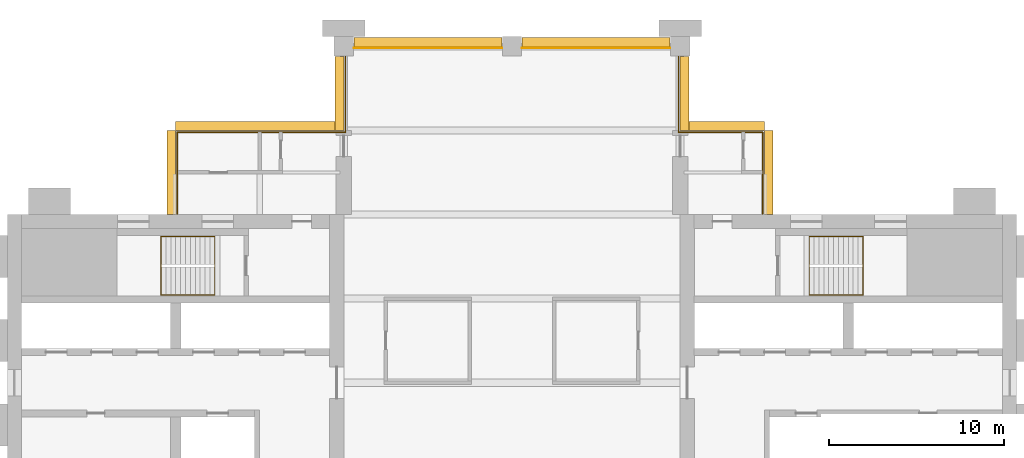
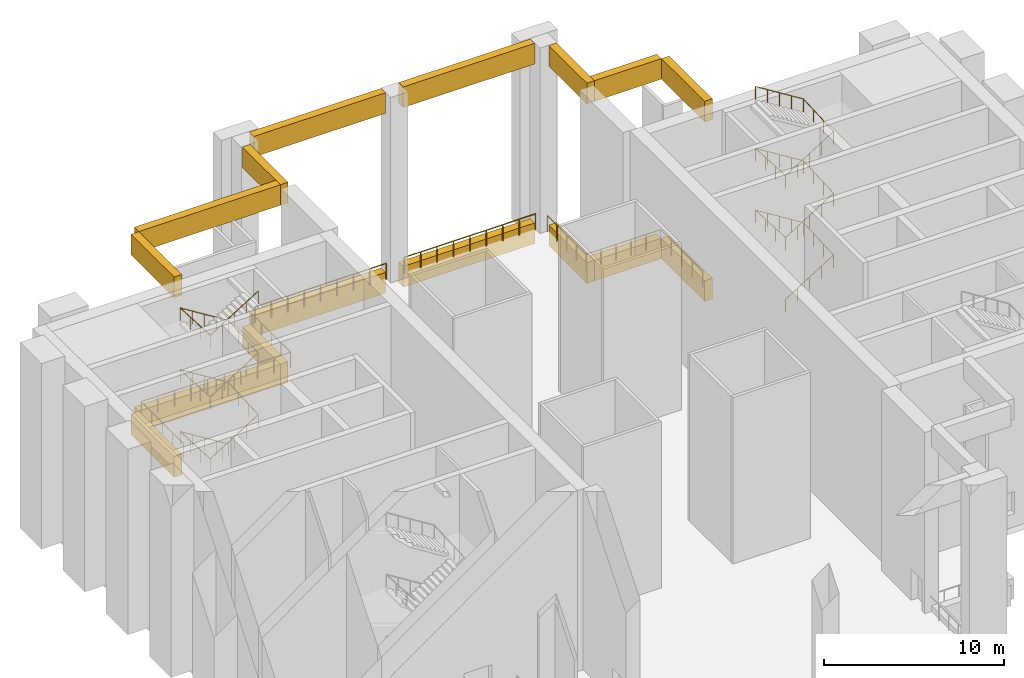
# One storey, part 8 of 8: 16 coverings, 6 railings.
"""IFC4 building model written with IfcOpenShell, lengths in metres."""

from ifc_helpers import new_model, si_unit, direction, frame, origin, origin_2d, place, context, subcontext, project, spatial, polyline, circle, outline, extrude, material, type_object, element, save


model = new_model("IFC4")

# Units and contexts
model_context = context("Model", 3, precision=1e-05, world=origin(), true_north=direction((0.0, 1.0)))
body_context = subcontext(model_context, "Body", "Model", "MODEL_VIEW")
ifc_project = project(units=[si_unit("LENGTHUNIT", "METRE"), si_unit("AREAUNIT", "SQUARE_METRE"), si_unit("VOLUMEUNIT", "CUBIC_METRE"), si_unit("PLANEANGLEUNIT", "RADIAN"), si_unit("MASSUNIT", "GRAM", prefix="KILO")], contexts=[model_context])

# Site, building, storey
site_placement = place(None, origin())
site = spatial("IfcSite", under=ifc_project, at=site_placement, CompositionType="ELEMENT")
building_placement = place(site_placement, origin())
building = spatial("IfcBuilding", under=site, at=building_placement, Name="Baori Bourse Tower", CompositionType="ELEMENT")
storey_placement = place(building_placement, frame((0.0, 0.0, 269.699951171875)))
storey = spatial("IfcBuildingStorey", under=building, at=storey_placement, Name="L60", CompositionType="ELEMENT", Elevation=269.699951171875)

# Railings
ifc_material_1 = material(Name="Powder-coated steel balustrade", Category="steel")
railing_type_1 = type_object("IfcRailingType", Name="Core stair handrail", PredefinedType="HANDRAIL", material=ifc_material_1)
railing_1_placement = place(storey_placement, frame((11.85009765625, 37.14990234375, 0.175048828125)))
element("IfcRailing", 1, at=railing_1_placement, inside=storey, type_object=railing_type_1, Name="L60 ST2 stair handrail 1", PredefinedType="HANDRAIL", context=body_context, shape_type="SweptSolid", body=[
    extrude(circle(Radius=0.02392578125, at=origin_2d()), frame((0.0, 0.0, 0.8759765625), z_axis=(-0.847998304005, 0.0, 0.529998940003), x_axis=(0.0, -1.0, 0.0)), (0.0, 0.0, 1.0), 3.632080078125),
    extrude(circle(Radius=0.02392578125, at=origin_2d()), frame((-3.080078125, 0.0, 2.80078125), z_axis=(0.0, -0.99863746249, 0.052184466191), x_axis=(1.0, 0.0, 0.0)), (0.0, 0.0, 1.0), 3.3544921875),
    extrude(circle(Radius=0.02392578125, at=origin_2d()), frame((-3.080078125, -3.349853515625, 2.97607421875), z_axis=(0.848028513186, 0.0, 0.529950602248), x_axis=(0.0, 1.0, 0.0)), (0.0, 0.0, 1.0), 3.632080078125),
    extrude(circle(Radius=0.02392578125, at=origin_2d()), frame((0.0, -3.349853515625, 4.90087890625), z_axis=(0.0, 0.99863746249, 0.052184466191), x_axis=(-1.0, 0.0, 0.0)), (0.0, 0.0, 1.0), 3.3544921875),
    extrude(circle(Radius=0.02392578125, at=origin_2d()), frame((0.0, 0.0, 5.07568359375), z_axis=(-0.847998304005, 0.0, 0.529998940003), x_axis=(0.0, -1.0, 0.0)), (0.0, 0.0, 1.0), 3.632080078125),
    extrude(circle(Radius=0.02392578125, at=origin_2d()), frame((-3.080078125, 0.0, 7.0009765625), z_axis=(0.0, -0.99863746249, 0.052184466191), x_axis=(1.0, 0.0, 0.0)), (0.0, 0.0, 1.0), 3.3544921875),
    extrude(circle(Radius=0.02392578125, at=origin_2d()), frame((-3.080078125, -3.349853515625, 7.17578125), z_axis=(0.847998304005, 0.0, 0.529998940003), x_axis=(0.0, 1.0, 0.0)), (0.0, 0.0, 1.0), 3.632080078125),
    extrude(circle(Radius=0.02392578125, at=origin_2d()), frame((0.0, -3.349853515625, 9.10107421875), z_axis=(0.0, 0.998641252765, 0.052111882296), x_axis=(-1.0, 0.0, 0.0)), (0.0, 0.0, 1.0), 3.3544921875),
    extrude(circle(Radius=0.02392578125, at=origin_2d()), frame((0.0, 0.0, 9.27587890625), z_axis=(-0.847998304005, 0.0, 0.529998940003), x_axis=(0.0, -1.0, 0.0)), (0.0, 0.0, 1.0), 3.632080078125),
    extrude(circle(Radius=0.02392578125, at=origin_2d()), frame((-3.080078125, 0.0, 11.20068359375), z_axis=(0.0, -0.99863746249, 0.052184466191), x_axis=(1.0, 0.0, 0.0)), (0.0, 0.0, 1.0), 3.3544921875),
    extrude(circle(Radius=0.02392578125, at=origin_2d()), frame((-3.080078125, -3.349853515625, 11.3759765625), z_axis=(0.847998304005, 0.0, 0.529998940003), x_axis=(0.0, 1.0, 0.0)), (0.0, 0.0, 1.0), 3.632080078125),
    extrude(circle(Radius=0.02099609375, at=origin_2d()), origin(), (0.0, 0.0, 1.0), 0.851806640625),
    extrude(circle(Radius=0.02099609375, at=origin_2d()), frame((-0.77001953125, 0.0, 0.481201171875)), (0.0, 0.0, 1.0), 0.851806640625),
    extrude(circle(Radius=0.02099609375, at=origin_2d()), frame((-1.5400390625, 0.0, 0.96240234375)), (0.0, 0.0, 1.0), 0.851806640625),
    extrude(circle(Radius=0.02099609375, at=origin_2d()), frame((-2.31005859375, 0.0, 1.44384765625)), (0.0, 0.0, 1.0), 0.851806640625),
    extrude(circle(Radius=0.02099609375, at=origin_2d()), frame((-3.080078125, 0.0, 1.925048828125)), (0.0, 0.0, 1.0), 0.851806640625),
    extrude(circle(Radius=0.02099609375, at=origin_2d()), frame((-3.080078125, -1.11669921875, 1.9833984375)), (0.0, 0.0, 1.0), 0.851806640625),
    extrude(circle(Radius=0.02099609375, at=origin_2d()), frame((-3.080078125, -2.233154296875, 2.041748046875)), (0.0, 0.0, 1.0), 0.851806640625),
    extrude(circle(Radius=0.02099609375, at=origin_2d()), frame((-3.080078125, -3.349853515625, 2.10009765625)), (0.0, 0.0, 1.0), 0.851806640625),
    extrude(circle(Radius=0.02099609375, at=origin_2d()), frame((-2.31005859375, -3.349853515625, 2.581298828125)), (0.0, 0.0, 1.0), 0.851806640625),
    extrude(circle(Radius=0.02099609375, at=origin_2d()), frame((-1.5400390625, -3.349853515625, 3.0625)), (0.0, 0.0, 1.0), 0.851806640625),
    extrude(circle(Radius=0.02099609375, at=origin_2d()), frame((-0.77001953125, -3.349853515625, 3.543701171875)), (0.0, 0.0, 1.0), 0.851806640625),
    extrude(circle(Radius=0.02099609375, at=origin_2d()), frame((0.0, -3.349853515625, 4.02490234375)), (0.0, 0.0, 1.0), 0.851806640625),
    extrude(circle(Radius=0.02099609375, at=origin_2d()), frame((0.0, -2.233154296875, 4.083251953125)), (0.0, 0.0, 1.0), 0.851806640625),
    extrude(circle(Radius=0.02099609375, at=origin_2d()), frame((0.0, -1.11669921875, 4.1416015625)), (0.0, 0.0, 1.0), 0.851806640625),
    extrude(circle(Radius=0.02099609375, at=origin_2d()), frame((0.0, 0.0, 4.199951171875)), (0.0, 0.0, 1.0), 0.851806640625),
    extrude(circle(Radius=0.02099609375, at=origin_2d()), frame((-0.77001953125, 0.0, 4.68115234375)), (0.0, 0.0, 1.0), 0.851806640625),
    extrude(circle(Radius=0.02099609375, at=origin_2d()), frame((-1.5400390625, 0.0, 5.16259765625)), (0.0, 0.0, 1.0), 0.851806640625),
    extrude(circle(Radius=0.02099609375, at=origin_2d()), frame((-2.31005859375, 0.0, 5.643798828125)), (0.0, 0.0, 1.0), 0.851806640625),
    extrude(circle(Radius=0.02099609375, at=origin_2d()), frame((-3.080078125, 0.0, 6.125)), (0.0, 0.0, 1.0), 0.851806640625),
    extrude(circle(Radius=0.02099609375, at=origin_2d()), frame((-3.080078125, -1.11669921875, 6.183349609375)), (0.0, 0.0, 1.0), 0.851806640625),
    extrude(circle(Radius=0.02099609375, at=origin_2d()), frame((-3.080078125, -2.233154296875, 6.24169921875)), (0.0, 0.0, 1.0), 0.851806640625),
    extrude(circle(Radius=0.02099609375, at=origin_2d()), frame((-3.080078125, -3.349853515625, 6.300048828125)), (0.0, 0.0, 1.0), 0.851806640625),
    extrude(circle(Radius=0.02099609375, at=origin_2d()), frame((-2.31005859375, -3.349853515625, 6.78125)), (0.0, 0.0, 1.0), 0.851806640625),
    extrude(circle(Radius=0.02099609375, at=origin_2d()), frame((-1.5400390625, -3.349853515625, 7.2626953125)), (0.0, 0.0, 1.0), 0.851806640625),
    extrude(circle(Radius=0.02099609375, at=origin_2d()), frame((-0.77001953125, -3.349853515625, 7.743896484375)), (0.0, 0.0, 1.0), 0.851806640625),
    extrude(circle(Radius=0.02099609375, at=origin_2d()), frame((0.0, -3.349853515625, 8.22509765625)), (0.0, 0.0, 1.0), 0.851806640625),
    extrude(circle(Radius=0.02099609375, at=origin_2d()), frame((0.0, -2.233154296875, 8.283447265625)), (0.0, 0.0, 1.0), 0.851806640625),
    extrude(circle(Radius=0.02099609375, at=origin_2d()), frame((0.0, -1.11669921875, 8.341552734375)), (0.0, 0.0, 1.0), 0.851806640625),
    extrude(circle(Radius=0.02099609375, at=origin_2d()), frame((0.0, 0.0, 8.39990234375)), (0.0, 0.0, 1.0), 0.851806640625),
    extrude(circle(Radius=0.02099609375, at=origin_2d()), frame((-0.77001953125, 0.0, 8.881103515625)), (0.0, 0.0, 1.0), 0.851806640625),
    extrude(circle(Radius=0.02099609375, at=origin_2d()), frame((-1.5400390625, 0.0, 9.3623046875)), (0.0, 0.0, 1.0), 0.851806640625),
    extrude(circle(Radius=0.02099609375, at=origin_2d()), frame((-2.31005859375, 0.0, 9.84375)), (0.0, 0.0, 1.0), 0.851806640625),
    extrude(circle(Radius=0.02099609375, at=origin_2d()), frame((-3.080078125, 0.0, 10.324951171875)), (0.0, 0.0, 1.0), 0.851806640625),
    extrude(circle(Radius=0.02099609375, at=origin_2d()), frame((-3.080078125, -1.11669921875, 10.38330078125)), (0.0, 0.0, 1.0), 0.851806640625),
    extrude(circle(Radius=0.02099609375, at=origin_2d()), frame((-3.080078125, -2.233154296875, 10.441650390625)), (0.0, 0.0, 1.0), 0.851806640625),
    extrude(circle(Radius=0.02099609375, at=origin_2d()), frame((-3.080078125, -3.349853515625, 10.5)), (0.0, 0.0, 1.0), 0.851806640625),
    extrude(circle(Radius=0.02099609375, at=origin_2d()), frame((-2.31005859375, -3.349853515625, 10.981201171875)), (0.0, 0.0, 1.0), 0.851806640625),
    extrude(circle(Radius=0.02099609375, at=origin_2d()), frame((-1.5400390625, -3.349853515625, 11.46240234375)), (0.0, 0.0, 1.0), 0.851806640625),
    extrude(circle(Radius=0.02099609375, at=origin_2d()), frame((-0.77001953125, -3.349853515625, 11.94384765625)), (0.0, 0.0, 1.0), 0.851806640625),
    extrude(circle(Radius=0.02099609375, at=origin_2d()), frame((0.0, -3.349853515625, 12.425048828125)), (0.0, 0.0, 1.0), 0.851806640625),
])
railing_2_placement = place(storey_placement, frame((45.75, 33.800048828125, 0.175048828125)))
element("IfcRailing", 2, at=railing_2_placement, inside=storey, type_object=railing_type_1, Name="L60 ST4 stair handrail 1", PredefinedType="HANDRAIL", context=body_context, shape_type="SweptSolid", body=[
    extrude(circle(Radius=0.02392578125, at=origin_2d()), frame((0.0, 0.0, 0.8759765625), z_axis=(0.847998304005, 0.0, 0.529998940003), x_axis=(0.0, 1.0, 0.0)), (0.0, 0.0, 1.0), 3.632080078125),
    extrude(circle(Radius=0.02392578125, at=origin_2d()), frame((3.080078125, 0.0, 2.80078125), z_axis=(0.0, 0.99863746249, 0.052184466191), x_axis=(-1.0, 0.0, 0.0)), (0.0, 0.0, 1.0), 3.3544921875),
    extrude(circle(Radius=0.02392578125, at=origin_2d()), frame((3.080078125, 3.349853515625, 2.97607421875), z_axis=(-0.848028513186, 0.0, 0.529950602248), x_axis=(0.0, -1.0, 0.0)), (0.0, 0.0, 1.0), 3.632080078125),
    extrude(circle(Radius=0.02392578125, at=origin_2d()), frame((0.0, 3.349853515625, 4.90087890625), z_axis=(0.0, -0.99863746249, 0.052184466191), x_axis=(1.0, 0.0, 0.0)), (0.0, 0.0, 1.0), 3.3544921875),
    extrude(circle(Radius=0.02392578125, at=origin_2d()), frame((0.0, 0.0, 5.07568359375), z_axis=(0.847998304005, 0.0, 0.529998940003), x_axis=(0.0, 1.0, 0.0)), (0.0, 0.0, 1.0), 3.632080078125),
    extrude(circle(Radius=0.02392578125, at=origin_2d()), frame((3.080078125, 0.0, 7.0009765625), z_axis=(0.0, 0.99863746249, 0.052184466191), x_axis=(-1.0, 0.0, 0.0)), (0.0, 0.0, 1.0), 3.3544921875),
    extrude(circle(Radius=0.02392578125, at=origin_2d()), frame((3.080078125, 3.349853515625, 7.17578125), z_axis=(-0.847998304005, 0.0, 0.529998940003), x_axis=(0.0, -1.0, 0.0)), (0.0, 0.0, 1.0), 3.632080078125),
    extrude(circle(Radius=0.02392578125, at=origin_2d()), frame((0.0, 3.349853515625, 9.10107421875), z_axis=(0.0, -0.998641252765, 0.052111882296), x_axis=(1.0, 0.0, 0.0)), (0.0, 0.0, 1.0), 3.3544921875),
    extrude(circle(Radius=0.02392578125, at=origin_2d()), frame((0.0, 0.0, 9.27587890625), z_axis=(0.847998304005, 0.0, 0.529998940003), x_axis=(0.0, 1.0, 0.0)), (0.0, 0.0, 1.0), 3.632080078125),
    extrude(circle(Radius=0.02392578125, at=origin_2d()), frame((3.080078125, 0.0, 11.20068359375), z_axis=(0.0, 0.99863746249, 0.052184466191), x_axis=(-1.0, 0.0, 0.0)), (0.0, 0.0, 1.0), 3.3544921875),
    extrude(circle(Radius=0.02392578125, at=origin_2d()), frame((3.080078125, 3.349853515625, 11.3759765625), z_axis=(-0.847998304005, 0.0, 0.529998940003), x_axis=(0.0, -1.0, 0.0)), (0.0, 0.0, 1.0), 3.632080078125),
    extrude(circle(Radius=0.02099609375, at=origin_2d()), origin(), (0.0, 0.0, 1.0), 0.851806640625),
    extrude(circle(Radius=0.02099609375, at=origin_2d()), frame((0.77001953125, 0.0, 0.481201171875)), (0.0, 0.0, 1.0), 0.851806640625),
    extrude(circle(Radius=0.02099609375, at=origin_2d()), frame((1.5400390625, 0.0, 0.96240234375)), (0.0, 0.0, 1.0), 0.851806640625),
    extrude(circle(Radius=0.02099609375, at=origin_2d()), frame((2.31005859375, 0.0, 1.44384765625)), (0.0, 0.0, 1.0), 0.851806640625),
    extrude(circle(Radius=0.02099609375, at=origin_2d()), frame((3.080078125, 0.0, 1.925048828125)), (0.0, 0.0, 1.0), 0.851806640625),
    extrude(circle(Radius=0.02099609375, at=origin_2d()), frame((3.080078125, 1.11669921875, 1.9833984375)), (0.0, 0.0, 1.0), 0.851806640625),
    extrude(circle(Radius=0.02099609375, at=origin_2d()), frame((3.080078125, 2.233154296875, 2.041748046875)), (0.0, 0.0, 1.0), 0.851806640625),
    extrude(circle(Radius=0.02099609375, at=origin_2d()), frame((3.080078125, 3.349853515625, 2.10009765625)), (0.0, 0.0, 1.0), 0.851806640625),
    extrude(circle(Radius=0.02099609375, at=origin_2d()), frame((2.31005859375, 3.349853515625, 2.581298828125)), (0.0, 0.0, 1.0), 0.851806640625),
    extrude(circle(Radius=0.02099609375, at=origin_2d()), frame((1.5400390625, 3.349853515625, 3.0625)), (0.0, 0.0, 1.0), 0.851806640625),
    extrude(circle(Radius=0.02099609375, at=origin_2d()), frame((0.77001953125, 3.349853515625, 3.543701171875)), (0.0, 0.0, 1.0), 0.851806640625),
    extrude(circle(Radius=0.02099609375, at=origin_2d()), frame((0.0, 3.349853515625, 4.02490234375)), (0.0, 0.0, 1.0), 0.851806640625),
    extrude(circle(Radius=0.02099609375, at=origin_2d()), frame((0.0, 2.233154296875, 4.083251953125)), (0.0, 0.0, 1.0), 0.851806640625),
    extrude(circle(Radius=0.02099609375, at=origin_2d()), frame((0.0, 1.11669921875, 4.1416015625)), (0.0, 0.0, 1.0), 0.851806640625),
    extrude(circle(Radius=0.02099609375, at=origin_2d()), frame((0.0, 0.0, 4.199951171875)), (0.0, 0.0, 1.0), 0.851806640625),
    extrude(circle(Radius=0.02099609375, at=origin_2d()), frame((0.77001953125, 0.0, 4.68115234375)), (0.0, 0.0, 1.0), 0.851806640625),
    extrude(circle(Radius=0.02099609375, at=origin_2d()), frame((1.5400390625, 0.0, 5.16259765625)), (0.0, 0.0, 1.0), 0.851806640625),
    extrude(circle(Radius=0.02099609375, at=origin_2d()), frame((2.31005859375, 0.0, 5.643798828125)), (0.0, 0.0, 1.0), 0.851806640625),
    extrude(circle(Radius=0.02099609375, at=origin_2d()), frame((3.080078125, 0.0, 6.125)), (0.0, 0.0, 1.0), 0.851806640625),
    extrude(circle(Radius=0.02099609375, at=origin_2d()), frame((3.080078125, 1.11669921875, 6.183349609375)), (0.0, 0.0, 1.0), 0.851806640625),
    extrude(circle(Radius=0.02099609375, at=origin_2d()), frame((3.080078125, 2.233154296875, 6.24169921875)), (0.0, 0.0, 1.0), 0.851806640625),
    extrude(circle(Radius=0.02099609375, at=origin_2d()), frame((3.080078125, 3.349853515625, 6.300048828125)), (0.0, 0.0, 1.0), 0.851806640625),
    extrude(circle(Radius=0.02099609375, at=origin_2d()), frame((2.31005859375, 3.349853515625, 6.78125)), (0.0, 0.0, 1.0), 0.851806640625),
    extrude(circle(Radius=0.02099609375, at=origin_2d()), frame((1.5400390625, 3.349853515625, 7.2626953125)), (0.0, 0.0, 1.0), 0.851806640625),
    extrude(circle(Radius=0.02099609375, at=origin_2d()), frame((0.77001953125, 3.349853515625, 7.743896484375)), (0.0, 0.0, 1.0), 0.851806640625),
    extrude(circle(Radius=0.02099609375, at=origin_2d()), frame((0.0, 3.349853515625, 8.22509765625)), (0.0, 0.0, 1.0), 0.851806640625),
    extrude(circle(Radius=0.02099609375, at=origin_2d()), frame((0.0, 2.233154296875, 8.283447265625)), (0.0, 0.0, 1.0), 0.851806640625),
    extrude(circle(Radius=0.02099609375, at=origin_2d()), frame((0.0, 1.11669921875, 8.341552734375)), (0.0, 0.0, 1.0), 0.851806640625),
    extrude(circle(Radius=0.02099609375, at=origin_2d()), frame((0.0, 0.0, 8.39990234375)), (0.0, 0.0, 1.0), 0.851806640625),
    extrude(circle(Radius=0.02099609375, at=origin_2d()), frame((0.77001953125, 0.0, 8.881103515625)), (0.0, 0.0, 1.0), 0.851806640625),
    extrude(circle(Radius=0.02099609375, at=origin_2d()), frame((1.5400390625, 0.0, 9.3623046875)), (0.0, 0.0, 1.0), 0.851806640625),
    extrude(circle(Radius=0.02099609375, at=origin_2d()), frame((2.31005859375, 0.0, 9.84375)), (0.0, 0.0, 1.0), 0.851806640625),
    extrude(circle(Radius=0.02099609375, at=origin_2d()), frame((3.080078125, 0.0, 10.324951171875)), (0.0, 0.0, 1.0), 0.851806640625),
    extrude(circle(Radius=0.02099609375, at=origin_2d()), frame((3.080078125, 1.11669921875, 10.38330078125)), (0.0, 0.0, 1.0), 0.851806640625),
    extrude(circle(Radius=0.02099609375, at=origin_2d()), frame((3.080078125, 2.233154296875, 10.441650390625)), (0.0, 0.0, 1.0), 0.851806640625),
    extrude(circle(Radius=0.02099609375, at=origin_2d()), frame((3.080078125, 3.349853515625, 10.5)), (0.0, 0.0, 1.0), 0.851806640625),
    extrude(circle(Radius=0.02099609375, at=origin_2d()), frame((2.31005859375, 3.349853515625, 10.981201171875)), (0.0, 0.0, 1.0), 0.851806640625),
    extrude(circle(Radius=0.02099609375, at=origin_2d()), frame((1.5400390625, 3.349853515625, 11.46240234375)), (0.0, 0.0, 1.0), 0.851806640625),
    extrude(circle(Radius=0.02099609375, at=origin_2d()), frame((0.77001953125, 3.349853515625, 11.94384765625)), (0.0, 0.0, 1.0), 0.851806640625),
    extrude(circle(Radius=0.02099609375, at=origin_2d()), frame((0.0, 3.349853515625, 12.425048828125)), (0.0, 0.0, 1.0), 0.851806640625),
])

# Coverings
ifc_material_2 = material(Name="Pale anodised aluminium", Category="aluminium")
covering_type = type_object("IfcCoveringType", Name="ED2 Portal fascia band", PredefinedType="CLADDING", material=ifc_material_2)
for number, where, name in (
    (3, (0.0, 0.0, -1.0), "Portal fascia band deck L60 1"),
    (4, (0.0, 0.0, 11.199951171875), "Portal fascia band head L60 2"),
):
    element("IfcCovering", number, at=place(storey_placement, frame(where)), inside=storey, type_object=covering_type, Name=name, PredefinedType="CLADDING", context=body_context, shape_type="SweptSolid", body=[
        extrude(outline(polyline([(43.199951171875, 43.199951171875), (43.199951171875, 38.39990234375), (43.699951171875, 38.39990234375), (43.699951171875, 43.199951171875), (43.199951171875, 43.199951171875)])), origin(), (0.0, 0.0, 1.0), 1.400146484375),
    ])
for number, where, name in (
    (5, (0.0, 0.0, -1.0), "Portal fascia band deck L60 3"),
    (6, (0.0, 0.0, 11.199951171875), "Portal fascia band head L60 4"),
):
    element("IfcCovering", number, at=place(storey_placement, frame(where)), inside=storey, type_object=covering_type, Name=name, PredefinedType="CLADDING", context=body_context, shape_type="SweptSolid", body=[
        extrude(outline(polyline([(38.39990234375, 43.199951171875), (43.199951171875, 43.199951171875), (43.199951171875, 43.699951171875), (38.39990234375, 43.699951171875), (38.39990234375, 43.199951171875)])), origin(), (0.0, 0.0, 1.0), 1.400146484375),
    ])
for number, where, name in (
    (7, (0.0, 0.0, -1.0), "Portal fascia band deck L60 5"),
    (8, (0.0, 0.0, 11.199951171875), "Portal fascia band head L60 6"),
):
    element("IfcCovering", number, at=place(storey_placement, frame(where)), inside=storey, type_object=covering_type, Name=name, PredefinedType="CLADDING", context=body_context, shape_type="SweptSolid", body=[
        extrude(outline(polyline([(38.39990234375, 47.429931640625), (38.39990234375, 43.199951171875), (38.89990234375, 43.199951171875), (38.89990234375, 47.429931640625), (38.39990234375, 47.429931640625)])), origin(), (0.0, 0.0, 1.0), 1.400146484375),
    ])
for number, where, name in (
    (9, (0.0, 0.0, -1.0), "Portal fascia band deck L60 7"),
    (10, (0.0, 0.0, 11.199951171875), "Portal fascia band head L60 8"),
):
    element("IfcCovering", number, at=place(storey_placement, frame(where)), inside=storey, type_object=covering_type, Name=name, PredefinedType="CLADDING", context=body_context, shape_type="SweptSolid", body=[
        extrude(outline(polyline([(29.3701171875, 48.0), (37.830078125, 48.0), (37.830078125, 48.5), (29.3701171875, 48.5), (29.3701171875, 48.0)])), origin(), (0.0, 0.0, 1.0), 1.400146484375),
    ])
for number, where, name in (
    (11, (0.0, 0.0, -1.0), "Portal fascia band deck L60 9"),
    (12, (0.0, 0.0, 11.199951171875), "Portal fascia band head L60 10"),
):
    element("IfcCovering", number, at=place(storey_placement, frame(where)), inside=storey, type_object=covering_type, Name=name, PredefinedType="CLADDING", context=body_context, shape_type="SweptSolid", body=[
        extrude(outline(polyline([(19.77001953125, 48.0), (28.22998046875, 48.0), (28.22998046875, 48.5), (19.77001953125, 48.5), (19.77001953125, 48.0)])), origin(), (0.0, 0.0, 1.0), 1.400146484375),
    ])
for number, where, name in (
    (13, (0.0, 0.0, -1.0), "Portal fascia band deck L60 11"),
    (14, (0.0, 0.0, 11.199951171875), "Portal fascia band head L60 12"),
):
    element("IfcCovering", number, at=place(storey_placement, frame(where)), inside=storey, type_object=covering_type, Name=name, PredefinedType="CLADDING", context=body_context, shape_type="SweptSolid", body=[
        extrude(outline(polyline([(19.199951171875, 43.199951171875), (19.199951171875, 47.429931640625), (18.699951171875, 47.429931640625), (18.699951171875, 43.199951171875), (19.199951171875, 43.199951171875)])), origin(), (0.0, 0.0, 1.0), 1.400146484375),
    ])
for number, where, name in (
    (15, (0.0, 0.0, -1.0), "Portal fascia band deck L60 13"),
    (16, (0.0, 0.0, 11.199951171875), "Portal fascia band head L60 14"),
):
    element("IfcCovering", number, at=place(storey_placement, frame(where)), inside=storey, type_object=covering_type, Name=name, PredefinedType="CLADDING", context=body_context, shape_type="SweptSolid", body=[
        extrude(outline(polyline([(9.60009765625, 43.199951171875), (19.199951171875, 43.199951171875), (19.199951171875, 43.699951171875), (9.60009765625, 43.699951171875), (9.60009765625, 43.199951171875)])), origin(), (0.0, 0.0, 1.0), 1.400146484375),
    ])
for number, where, name in (
    (17, (0.0, 0.0, -1.0), "Portal fascia band deck L60 15"),
    (18, (0.0, 0.0, 11.199951171875), "Portal fascia band head L60 16"),
):
    element("IfcCovering", number, at=place(storey_placement, frame(where)), inside=storey, type_object=covering_type, Name=name, PredefinedType="CLADDING", context=body_context, shape_type="SweptSolid", body=[
        extrude(outline(polyline([(9.60009765625, 38.39990234375), (9.60009765625, 43.199951171875), (9.10009765625, 43.199951171875), (9.10009765625, 38.39990234375), (9.60009765625, 38.39990234375)])), origin(), (0.0, 0.0, 1.0), 1.400146484375),
    ])

# Railings
ifc_material_3 = material(Name="Stainless steel", Category="steel")
railing_type_2 = type_object("IfcRailingType", Name="GD1 Guard", PredefinedType="GUARDRAIL", material=ifc_material_3)
railing_3_placement = place(storey_placement, frame((43.10009765625, 38.429931640625, 0.0)))
element("IfcRailing", 19, at=railing_3_placement, inside=storey, type_object=railing_type_2, Name="Guard sky deck L60 1", PredefinedType="GUARDRAIL", context=body_context, shape_type="SweptSolid", body=[
    extrude(circle(Radius=0.02392578125, at=origin_2d()), frame((0.0, 0.0, 1.076171875), z_axis=(0.0, 1.0, 0.0), x_axis=(-1.0, 0.0, 0.0)), (0.0, 0.0, 1.0), 4.670166015625),
    extrude(circle(Radius=0.02392578125, at=origin_2d()), frame((0.0, 4.670166015625, 1.076171875), z_axis=(-1.0, 0.0, 0.0), x_axis=(0.0, -1.0, 0.0)), (0.0, 0.0, 1.0), 4.800048828125),
    extrude(circle(Radius=0.02392578125, at=origin_2d()), frame((-4.800048828125, 4.670166015625, 1.076171875), z_axis=(0.0, 1.0, 0.0), x_axis=(-1.0, 0.0, 0.0)), (0.0, 0.0, 1.0), 4.31982421875),
    extrude(circle(Radius=0.02099609375, at=origin_2d()), origin(), (0.0, 0.0, 1.0), 1.052001953125),
    extrude(circle(Radius=0.02099609375, at=origin_2d()), frame((0.0, 1.16748046875, 0.0)), (0.0, 0.0, 1.0), 1.052001953125),
    extrude(circle(Radius=0.02099609375, at=origin_2d()), frame((0.0, 2.3349609375, 0.0)), (0.0, 0.0, 1.0), 1.052001953125),
    extrude(circle(Radius=0.02099609375, at=origin_2d()), frame((0.0, 3.502685546875, 0.0)), (0.0, 0.0, 1.0), 1.052001953125),
    extrude(circle(Radius=0.02099609375, at=origin_2d()), frame((0.0, 4.670166015625, 0.0)), (0.0, 0.0, 1.0), 1.052001953125),
    extrude(circle(Radius=0.02099609375, at=origin_2d()), frame((-0.9599609375, 4.670166015625, 0.0)), (0.0, 0.0, 1.0), 1.052001953125),
    extrude(circle(Radius=0.02099609375, at=origin_2d()), frame((-1.919921875, 4.670166015625, 0.0)), (0.0, 0.0, 1.0), 1.052001953125),
    extrude(circle(Radius=0.02099609375, at=origin_2d()), frame((-2.880126953125, 4.670166015625, 0.0)), (0.0, 0.0, 1.0), 1.052001953125),
    extrude(circle(Radius=0.02099609375, at=origin_2d()), frame((-3.840087890625, 4.670166015625, 0.0)), (0.0, 0.0, 1.0), 1.052001953125),
    extrude(circle(Radius=0.02099609375, at=origin_2d()), frame((-4.800048828125, 4.670166015625, 0.0)), (0.0, 0.0, 1.0), 1.052001953125),
    extrude(circle(Radius=0.02099609375, at=origin_2d()), frame((-4.800048828125, 5.75, 0.0)), (0.0, 0.0, 1.0), 1.052001953125),
    extrude(circle(Radius=0.02099609375, at=origin_2d()), frame((-4.800048828125, 6.830078125, 0.0)), (0.0, 0.0, 1.0), 1.052001953125),
    extrude(circle(Radius=0.02099609375, at=origin_2d()), frame((-4.800048828125, 7.91015625, 0.0)), (0.0, 0.0, 1.0), 1.052001953125),
    extrude(circle(Radius=0.02099609375, at=origin_2d()), frame((-4.800048828125, 8.989990234375, 0.0)), (0.0, 0.0, 1.0), 1.052001953125),
])
railing_4_placement = place(storey_placement, frame((37.820068359375, 47.89990234375, 0.0)))
element("IfcRailing", 20, at=railing_4_placement, inside=storey, type_object=railing_type_2, Name="Guard sky deck L60 2", PredefinedType="GUARDRAIL", context=body_context, shape_type="SweptSolid", body=[
    extrude(circle(Radius=0.02392578125, at=origin_2d()), frame((0.0, 0.0, 1.076171875), z_axis=(-1.0, 0.0, 0.0), x_axis=(0.0, -1.0, 0.0)), (0.0, 0.0, 1.0), 8.440185546875),
    extrude(circle(Radius=0.02099609375, at=origin_2d()), origin(), (0.0, 0.0, 1.0), 1.052001953125),
    extrude(circle(Radius=0.02099609375, at=origin_2d()), frame((-1.054931640625, 0.0, 0.0)), (0.0, 0.0, 1.0), 1.052001953125),
    extrude(circle(Radius=0.02099609375, at=origin_2d()), frame((-2.110107421875, 0.0, 0.0)), (0.0, 0.0, 1.0), 1.052001953125),
    extrude(circle(Radius=0.02099609375, at=origin_2d()), frame((-3.1650390625, 0.0, 0.0)), (0.0, 0.0, 1.0), 1.052001953125),
    extrude(circle(Radius=0.02099609375, at=origin_2d()), frame((-4.22021484375, 0.0, 0.0)), (0.0, 0.0, 1.0), 1.052001953125),
    extrude(circle(Radius=0.02099609375, at=origin_2d()), frame((-5.275146484375, 0.0, 0.0)), (0.0, 0.0, 1.0), 1.052001953125),
    extrude(circle(Radius=0.02099609375, at=origin_2d()), frame((-6.330078125, 0.0, 0.0)), (0.0, 0.0, 1.0), 1.052001953125),
    extrude(circle(Radius=0.02099609375, at=origin_2d()), frame((-7.38525390625, 0.0, 0.0)), (0.0, 0.0, 1.0), 1.052001953125),
    extrude(circle(Radius=0.02099609375, at=origin_2d()), frame((-8.440185546875, 0.0, 0.0)), (0.0, 0.0, 1.0), 1.052001953125),
])
railing_5_placement = place(storey_placement, frame((28.219970703125, 47.89990234375, 0.0)))
element("IfcRailing", 21, at=railing_5_placement, inside=storey, type_object=railing_type_2, Name="Guard sky deck L60 3", PredefinedType="GUARDRAIL", context=body_context, shape_type="SweptSolid", body=[
    extrude(circle(Radius=0.02392578125, at=origin_2d()), frame((0.0, 0.0, 1.076171875), z_axis=(-1.0, 0.0, 0.0), x_axis=(0.0, -1.0, 0.0)), (0.0, 0.0, 1.0), 8.43994140625),
    extrude(circle(Radius=0.02099609375, at=origin_2d()), origin(), (0.0, 0.0, 1.0), 1.052001953125),
    extrude(circle(Radius=0.02099609375, at=origin_2d()), frame((-1.054931640625, 0.0, 0.0)), (0.0, 0.0, 1.0), 1.052001953125),
    extrude(circle(Radius=0.02099609375, at=origin_2d()), frame((-2.10986328125, 0.0, 0.0)), (0.0, 0.0, 1.0), 1.052001953125),
    extrude(circle(Radius=0.02099609375, at=origin_2d()), frame((-3.1650390625, 0.0, 0.0)), (0.0, 0.0, 1.0), 1.052001953125),
    extrude(circle(Radius=0.02099609375, at=origin_2d()), frame((-4.219970703125, 0.0, 0.0)), (0.0, 0.0, 1.0), 1.052001953125),
    extrude(circle(Radius=0.02099609375, at=origin_2d()), frame((-5.27490234375, 0.0, 0.0)), (0.0, 0.0, 1.0), 1.052001953125),
    extrude(circle(Radius=0.02099609375, at=origin_2d()), frame((-6.330078125, 0.0, 0.0)), (0.0, 0.0, 1.0), 1.052001953125),
    extrude(circle(Radius=0.02099609375, at=origin_2d()), frame((-7.385009765625, 0.0, 0.0)), (0.0, 0.0, 1.0), 1.052001953125),
    extrude(circle(Radius=0.02099609375, at=origin_2d()), frame((-8.43994140625, 0.0, 0.0)), (0.0, 0.0, 1.0), 1.052001953125),
])
railing_6_placement = place(storey_placement, frame((19.300048828125, 47.419921875, 0.0)))
element("IfcRailing", 22, at=railing_6_placement, inside=storey, type_object=railing_type_2, Name="Guard sky deck L60 4", PredefinedType="GUARDRAIL", context=body_context, shape_type="SweptSolid", body=[
    extrude(circle(Radius=0.02392578125, at=origin_2d()), frame((0.0, 0.0, 1.076171875), z_axis=(0.0, -1.0, 0.0), x_axis=(1.0, 0.0, 0.0)), (0.0, 0.0, 1.0), 4.31982421875),
    extrude(circle(Radius=0.02392578125, at=origin_2d()), frame((0.0, -4.31982421875, 1.076171875), z_axis=(-1.0, 0.0, 0.0), x_axis=(0.0, -1.0, 0.0)), (0.0, 0.0, 1.0), 9.60009765625),
    extrude(circle(Radius=0.02392578125, at=origin_2d()), frame((-9.60009765625, -4.31982421875, 1.076171875), z_axis=(0.0, -1.0, 0.0), x_axis=(1.0, 0.0, 0.0)), (0.0, 0.0, 1.0), 4.670166015625),
    extrude(circle(Radius=0.02099609375, at=origin_2d()), origin(), (0.0, 0.0, 1.0), 1.052001953125),
    extrude(circle(Radius=0.02099609375, at=origin_2d()), frame((0.0, -1.080078125, 0.0)), (0.0, 0.0, 1.0), 1.052001953125),
    extrude(circle(Radius=0.02099609375, at=origin_2d()), frame((0.0, -2.159912109375, 0.0)), (0.0, 0.0, 1.0), 1.052001953125),
    extrude(circle(Radius=0.02099609375, at=origin_2d()), frame((0.0, -3.23974609375, 0.0)), (0.0, 0.0, 1.0), 1.052001953125),
    extrude(circle(Radius=0.02099609375, at=origin_2d()), frame((0.0, -4.31982421875, 0.0)), (0.0, 0.0, 1.0), 1.052001953125),
    extrude(circle(Radius=0.02099609375, at=origin_2d()), frame((-1.066650390625, -4.31982421875, 0.0)), (0.0, 0.0, 1.0), 1.052001953125),
    extrude(circle(Radius=0.02099609375, at=origin_2d()), frame((-2.13330078125, -4.31982421875, 0.0)), (0.0, 0.0, 1.0), 1.052001953125),
    extrude(circle(Radius=0.02099609375, at=origin_2d()), frame((-3.199951171875, -4.31982421875, 0.0)), (0.0, 0.0, 1.0), 1.052001953125),
    extrude(circle(Radius=0.02099609375, at=origin_2d()), frame((-4.2666015625, -4.31982421875, 0.0)), (0.0, 0.0, 1.0), 1.052001953125),
    extrude(circle(Radius=0.02099609375, at=origin_2d()), frame((-5.33349609375, -4.31982421875, 0.0)), (0.0, 0.0, 1.0), 1.052001953125),
    extrude(circle(Radius=0.02099609375, at=origin_2d()), frame((-6.400146484375, -4.31982421875, 0.0)), (0.0, 0.0, 1.0), 1.052001953125),
    extrude(circle(Radius=0.02099609375, at=origin_2d()), frame((-7.466796875, -4.31982421875, 0.0)), (0.0, 0.0, 1.0), 1.052001953125),
    extrude(circle(Radius=0.02099609375, at=origin_2d()), frame((-8.533447265625, -4.31982421875, 0.0)), (0.0, 0.0, 1.0), 1.052001953125),
    extrude(circle(Radius=0.02099609375, at=origin_2d()), frame((-9.60009765625, -4.31982421875, 0.0)), (0.0, 0.0, 1.0), 1.052001953125),
    extrude(circle(Radius=0.02099609375, at=origin_2d()), frame((-9.60009765625, -5.4873046875, 0.0)), (0.0, 0.0, 1.0), 1.052001953125),
    extrude(circle(Radius=0.02099609375, at=origin_2d()), frame((-9.60009765625, -6.65478515625, 0.0)), (0.0, 0.0, 1.0), 1.052001953125),
    extrude(circle(Radius=0.02099609375, at=origin_2d()), frame((-9.60009765625, -7.822509765625, 0.0)), (0.0, 0.0, 1.0), 1.052001953125),
    extrude(circle(Radius=0.02099609375, at=origin_2d()), frame((-9.60009765625, -8.989990234375, 0.0)), (0.0, 0.0, 1.0), 1.052001953125),
])

save(model, "model.ifc")
